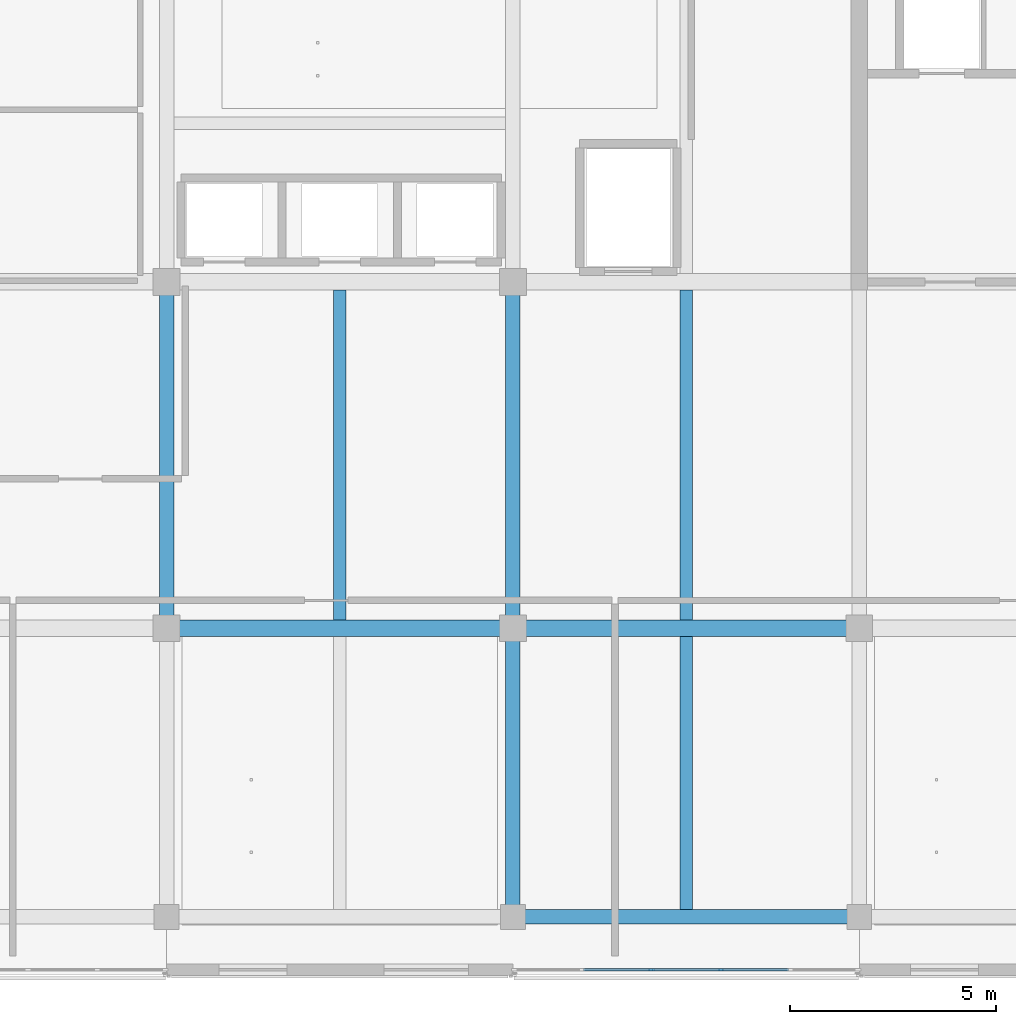
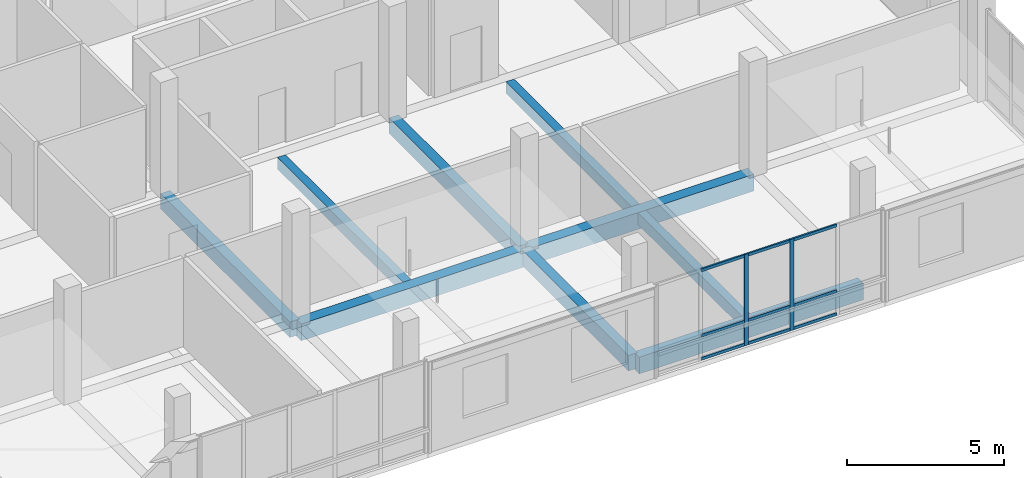
# One storey, part 3 of 29: 11 members, 9 beams, 1 element without a shape of its own.
"""IFC4 building model written with IfcOpenShell, lengths in metres."""

from ifc_helpers import new_model, si_unit, direction, frame, origin, origin_2d, place, context, subcontext, project, spatial, rectangle, extrude, material, layer, layer_set, material_profile, profile_set, type_object, element, aggregate, save


model = new_model("IFC4")

# Units and contexts
model_context = context("Model", 3, precision=1e-05, world=origin(), true_north=direction((0.0, 1.0)))
body_context = subcontext(model_context, "Body", "Model", "MODEL_VIEW")
ifc_project = project(units=[si_unit("LENGTHUNIT", "METRE"), si_unit("AREAUNIT", "SQUARE_METRE"), si_unit("VOLUMEUNIT", "CUBIC_METRE"), si_unit("PLANEANGLEUNIT", "RADIAN"), si_unit("MASSUNIT", "GRAM", prefix="KILO")], contexts=[model_context])

# Site, building, storey
site_placement = place(None, origin())
site = spatial("IfcSite", under=ifc_project, at=site_placement, CompositionType="ELEMENT")
building_placement = place(site_placement, origin())
building = spatial("IfcBuilding", under=site, at=building_placement, Name="Telukmera Botanical Conservatory", CompositionType="ELEMENT")
storey_placement = place(building_placement, frame((0.0, 0.0, 55.5)))
storey = spatial("IfcBuildingStorey", under=building, at=storey_placement, Name="L12", CompositionType="ELEMENT", Elevation=55.5)

# Beams
ifc_material_1 = material(Name="Concrete C40/50", Category="concrete")
ifc_material_profile_1 = material_profile(ifc_material_1, rectangle(XDim=0.300048828125, YDim=0.449951171875, at=origin_2d()), Name="RC 300x450")
ifc_profile_set_1 = profile_set([ifc_material_profile_1], Name="Concrete C40/50")
beam_type_1 = type_object("IfcBeamType", Name="Beam_B25", PredefinedType="JOIST", material=ifc_profile_set_1)
beam_1_placement = place(storey_placement, frame((79.800048828125, 17.800048828125, -0.22509765625), z_axis=(0.0, 1.0, 0.0), x_axis=(-1.0, 0.0, 0.0)))
element("IfcBeam", 1, at=beam_1_placement, inside=storey, type_object=beam_type_1, Name="Tower Secondary Floor Joist L12", PredefinedType="JOIST", context=body_context, shape_type="SweptSolid", body=[
    extrude(rectangle(XDim=0.300048828125, YDim=0.449951171875, at=origin_2d()), origin(), (0.0, 0.0, 1.0), 8.0),
])
beam_2_placement = place(storey_placement, frame((88.199951171875, 10.77490234375, -0.22509765625), z_axis=(0.0, 1.0, 0.0), x_axis=(-1.0, 0.0, 0.0)))
element("IfcBeam", 2, at=beam_2_placement, inside=storey, type_object=beam_type_1, Name="Tower Secondary Floor Joist L12", PredefinedType="JOIST", context=body_context, shape_type="SweptSolid", body=[
    extrude(rectangle(XDim=0.300048828125, YDim=0.449951171875, at=origin_2d()), origin(), (0.0, 0.0, 1.0), 6.625),
])
beam_3_placement = place(storey_placement, frame((88.199951171875, 17.800048828125, -0.22509765625), z_axis=(0.0, 1.0, 0.0), x_axis=(-1.0, 0.0, 0.0)))
element("IfcBeam", 3, at=beam_3_placement, inside=storey, type_object=beam_type_1, Name="Tower Secondary Floor Joist L12", PredefinedType="JOIST", context=body_context, shape_type="SweptSolid", body=[
    extrude(rectangle(XDim=0.300048828125, YDim=0.449951171875, at=origin_2d()), origin(), (0.0, 0.0, 1.0), 8.0),
])
ifc_material_profile_2 = material_profile(ifc_material_1, rectangle(XDim=0.39990234375, YDim=0.64990234375, at=origin_2d()), Name="RC 400x650")
ifc_profile_set_2 = profile_set([ifc_material_profile_2], Name="Concrete C40/50")
beam_type_2 = type_object("IfcBeamType", Name="Beam_B8", PredefinedType="BEAM", material=ifc_profile_set_2)
for number, where, z_axis, x_axis, name in (
    (4, (75.679931640625, 17.60009765625, -0.324951171875), (1.0, 0.0, 0.0), (0.0, 1.0, 0.0), "Tower Grid Beam L12"),
    (5, (84.080078125, 17.60009765625, -0.324951171875), (1.0, 0.0, 0.0), (0.0, 1.0, 0.0), "Tower Grid Beam L12"),
):
    element("IfcBeam", number, at=place(storey_placement, frame(where, z_axis=z_axis, x_axis=x_axis)), inside=storey, type_object=beam_type_2, Name=name, PredefinedType="BEAM", context=body_context, shape_type="SweptSolid", body=[
        extrude(rectangle(XDim=0.39990234375, YDim=0.64990234375, at=origin_2d()), origin(), (0.0, 0.0, 1.0), 8.239990234375),
    ])
ifc_material_profile_3 = material_profile(ifc_material_1, rectangle(XDim=0.35009765625, YDim=0.60009765625, at=origin_2d()), Name="RC 350x600")
ifc_profile_set_3 = profile_set([ifc_material_profile_3], Name="Concrete C40/50")
beam_type_3 = type_object("IfcBeamType", Name="Beam_B9", PredefinedType="BEAM", material=ifc_profile_set_3)
beam_4_placement = place(storey_placement, frame((75.60009765625, 17.679931640625, -0.300048828125), z_axis=(0.0, 1.0, 0.0), x_axis=(-1.0, 0.0, 0.0)))
element("IfcBeam", 6, at=beam_4_placement, inside=storey, type_object=beam_type_3, Name="Tower Transverse Beam L12", PredefinedType="BEAM", context=body_context, shape_type="SweptSolid", body=[
    extrude(rectangle(XDim=0.35009765625, YDim=0.60009765625, at=origin_2d()), origin(), (0.0, 0.0, 1.0), 8.239990234375),
])
beam_5_placement = place(storey_placement, frame((84.0, 10.679931640625, -0.300048828125), z_axis=(0.0, 1.0, 0.0), x_axis=(-1.0, 0.0, 0.0)))
element("IfcBeam", 7, at=beam_5_placement, inside=storey, type_object=beam_type_3, Name="Tower Transverse Beam L12", PredefinedType="BEAM", context=body_context, shape_type="SweptSolid", body=[
    extrude(rectangle(XDim=0.35009765625, YDim=0.60009765625, at=origin_2d()), origin(), (0.0, 0.0, 1.0), 6.840087890625),
])
beam_6_placement = place(storey_placement, frame((84.0, 17.679931640625, -0.300048828125), z_axis=(0.0, 1.0, 0.0), x_axis=(-1.0, 0.0, 0.0)))
element("IfcBeam", 8, at=beam_6_placement, inside=storey, type_object=beam_type_3, Name="Tower Transverse Beam L12", PredefinedType="BEAM", context=body_context, shape_type="SweptSolid", body=[
    extrude(rectangle(XDim=0.35009765625, YDim=0.60009765625, at=origin_2d()), origin(), (0.0, 0.0, 1.0), 8.239990234375),
])
ifc_material_2 = material(Name="Precast concrete C40/50", Category="concrete")
ifc_material_profile_4 = material_profile(ifc_material_2, rectangle(XDim=0.35009765625, YDim=0.64990234375, at=origin_2d()), Name="PC 350x650")
ifc_profile_set_4 = profile_set([ifc_material_profile_4], Name="Precast concrete C40/50")
beam_type_4 = type_object("IfcBeamType", Name="Beam_SP3", PredefinedType="SPANDREL", material=ifc_profile_set_4)
beam_7_placement = place(storey_placement, frame((84.080078125, 10.60009765625, -0.324951171875), z_axis=(1.0, 0.0, 0.0), x_axis=(0.0, 1.0, 0.0)))
element("IfcBeam", 9, at=beam_7_placement, inside=storey, type_object=beam_type_4, Name="Tower Grid Beam L12", PredefinedType="SPANDREL", context=body_context, shape_type="SweptSolid", body=[
    extrude(rectangle(XDim=0.35009765625, YDim=0.64990234375, at=origin_2d()), origin(), (0.0, 0.0, 1.0), 8.239990234375),
])

# Curtain wall, members
ifc_material_3 = material(Name="Anodised aluminium 6063-T6", Category="aluminium")
ifc_layer = layer(ifc_material_3, 0.179931640625)
ifc_layer_set = layer_set([ifc_layer], Name="Anodised aluminium 6063-T6")
curtain_wall_type = type_object("IfcCurtainWallType", Name="Tower Research Laboratory Unitised Curtain Wall", PredefinedType="USERDEFINED", material=ifc_layer_set)
curtain_wall_placement = place(storey_placement, origin())
curtain_wall = element("IfcCurtainWall", 10, at=curtain_wall_placement, inside=storey, type_object=curtain_wall_type, Name="Unitised Curtain Wall CW15 V4:L12:S4", ObjectType="UNITISED CURTAIN WALL", PredefinedType="USERDEFINED")
ifc_material_profile_5 = material_profile(ifc_material_3, rectangle(XDim=0.06005859375, YDim=0.139892578125, at=origin_2d()), Name="ALU MULL 60x140")
ifc_profile_set_5 = profile_set([ifc_material_profile_5], Name="Anodised aluminium 6063-T6")
member_type_1 = type_object("IfcMemberType", Name="Curtain Wall Extruded Mullion 60x140", PredefinedType="MULLION", material=ifc_profile_set_5)
member_1_placement = place(storey_placement, frame((87.3603515625, 9.320068359375, 0.0), z_axis=(0.0, 0.0, 1.0), x_axis=(0.0, 1.0, 0.0)))
member_1 = element("IfcMember", 11, at=member_1_placement, type_object=member_type_1, Name="CW15 mullion 3", PredefinedType="MULLION", context=body_context, shape_type="SweptSolid", body=[
    extrude(rectangle(XDim=0.06005859375, YDim=0.139892578125, at=origin_2d()), origin(), (0.0, 0.0, 1.0), 3.550048828125),
])
member_2_placement = place(storey_placement, frame((89.03955078125, 9.320068359375, 0.0), z_axis=(0.0, 0.0, 1.0), x_axis=(0.0, 1.0, 0.0)))
member_2 = element("IfcMember", 12, at=member_2_placement, type_object=member_type_1, Name="CW15 mullion 4", PredefinedType="MULLION", context=body_context, shape_type="SweptSolid", body=[
    extrude(rectangle(XDim=0.06005859375, YDim=0.139892578125, at=origin_2d()), origin(), (0.0, 0.0, 1.0), 3.550048828125),
])
ifc_material_profile_6 = material_profile(ifc_material_3, rectangle(XDim=0.06005859375, YDim=0.110107421875, at=origin_2d()), Name="ALU TRAN 60x110")
ifc_profile_set_6 = profile_set([ifc_material_profile_6], Name="Anodised aluminium 6063-T6")
member_type_2 = type_object("IfcMemberType", Name="Curtain Wall Extruded Transom 60x110", PredefinedType="USERDEFINED", material=ifc_profile_set_6)
member_3_placement = place(storey_placement, frame((85.711181640625, 9.320068359375, 0.054931640625), z_axis=(1.0, 0.0, 0.0), x_axis=(0.0, 1.0, 0.0)))
member_3 = element("IfcMember", 13, at=member_3_placement, type_object=member_type_2, Name="CW15 transom 2.1", ObjectType="TRANSOM", PredefinedType="USERDEFINED", context=body_context, shape_type="SweptSolid", body=[
    extrude(rectangle(XDim=0.06005859375, YDim=0.110107421875, at=origin_2d()), origin(), (0.0, 0.0, 1.0), 1.619140625),
])
member_4_placement = place(storey_placement, frame((85.711181640625, 9.320068359375, 0.949951171875), z_axis=(1.0, 0.0, 0.0), x_axis=(0.0, 1.0, 0.0)))
member_4 = element("IfcMember", 14, at=member_4_placement, type_object=member_type_2, Name="CW15 transom 2.2", ObjectType="TRANSOM", PredefinedType="USERDEFINED", context=body_context, shape_type="SweptSolid", body=[
    extrude(rectangle(XDim=0.06005859375, YDim=0.110107421875, at=origin_2d()), origin(), (0.0, 0.0, 1.0), 1.619140625),
])
member_5_placement = place(storey_placement, frame((85.711181640625, 9.320068359375, 3.4951171875), z_axis=(1.0, 0.0, 0.0), x_axis=(0.0, 1.0, 0.0)))
member_5 = element("IfcMember", 15, at=member_5_placement, type_object=member_type_2, Name="CW15 transom 2.3", ObjectType="TRANSOM", PredefinedType="USERDEFINED", context=body_context, shape_type="SweptSolid", body=[
    extrude(rectangle(XDim=0.06005859375, YDim=0.110107421875, at=origin_2d()), origin(), (0.0, 0.0, 1.0), 1.619140625),
])
member_6_placement = place(storey_placement, frame((87.390380859375, 9.320068359375, 0.054931640625), z_axis=(1.0, 0.0, 0.0), x_axis=(0.0, 1.0, 0.0)))
member_6 = element("IfcMember", 16, at=member_6_placement, type_object=member_type_2, Name="CW15 transom 3.1", ObjectType="TRANSOM", PredefinedType="USERDEFINED", context=body_context, shape_type="SweptSolid", body=[
    extrude(rectangle(XDim=0.06005859375, YDim=0.110107421875, at=origin_2d()), origin(), (0.0, 0.0, 1.0), 1.619140625),
])
member_7_placement = place(storey_placement, frame((87.390380859375, 9.320068359375, 0.949951171875), z_axis=(1.0, 0.0, 0.0), x_axis=(0.0, 1.0, 0.0)))
member_7 = element("IfcMember", 17, at=member_7_placement, type_object=member_type_2, Name="CW15 transom 3.2", ObjectType="TRANSOM", PredefinedType="USERDEFINED", context=body_context, shape_type="SweptSolid", body=[
    extrude(rectangle(XDim=0.06005859375, YDim=0.110107421875, at=origin_2d()), origin(), (0.0, 0.0, 1.0), 1.619140625),
])
member_8_placement = place(storey_placement, frame((87.390380859375, 9.320068359375, 3.4951171875), z_axis=(1.0, 0.0, 0.0), x_axis=(0.0, 1.0, 0.0)))
member_8 = element("IfcMember", 18, at=member_8_placement, type_object=member_type_2, Name="CW15 transom 3.3", ObjectType="TRANSOM", PredefinedType="USERDEFINED", context=body_context, shape_type="SweptSolid", body=[
    extrude(rectangle(XDim=0.06005859375, YDim=0.110107421875, at=origin_2d()), origin(), (0.0, 0.0, 1.0), 1.619140625),
])
member_9_placement = place(storey_placement, frame((89.069580078125, 9.320068359375, 0.054931640625), z_axis=(1.0, 0.0, 0.0), x_axis=(0.0, 1.0, 0.0)))
member_9 = element("IfcMember", 19, at=member_9_placement, type_object=member_type_2, Name="CW15 transom 4.1", ObjectType="TRANSOM", PredefinedType="USERDEFINED", context=body_context, shape_type="SweptSolid", body=[
    extrude(rectangle(XDim=0.06005859375, YDim=0.110107421875, at=origin_2d()), origin(), (0.0, 0.0, 1.0), 1.619140625),
])
member_10_placement = place(storey_placement, frame((89.069580078125, 9.320068359375, 0.949951171875), z_axis=(1.0, 0.0, 0.0), x_axis=(0.0, 1.0, 0.0)))
member_10 = element("IfcMember", 20, at=member_10_placement, type_object=member_type_2, Name="CW15 transom 4.2", ObjectType="TRANSOM", PredefinedType="USERDEFINED", context=body_context, shape_type="SweptSolid", body=[
    extrude(rectangle(XDim=0.06005859375, YDim=0.110107421875, at=origin_2d()), origin(), (0.0, 0.0, 1.0), 1.619140625),
])
member_11_placement = place(storey_placement, frame((89.069580078125, 9.320068359375, 3.4951171875), z_axis=(1.0, 0.0, 0.0), x_axis=(0.0, 1.0, 0.0)))
member_11 = element("IfcMember", 21, at=member_11_placement, type_object=member_type_2, Name="CW15 transom 4.3", ObjectType="TRANSOM", PredefinedType="USERDEFINED", context=body_context, shape_type="SweptSolid", body=[
    extrude(rectangle(XDim=0.06005859375, YDim=0.110107421875, at=origin_2d()), origin(), (0.0, 0.0, 1.0), 1.619140625),
])
aggregate(curtain_wall, [member_1, member_2, member_3, member_4, member_5, member_6, member_7, member_8, member_9, member_10, member_11])

save(model, "model.ifc")
